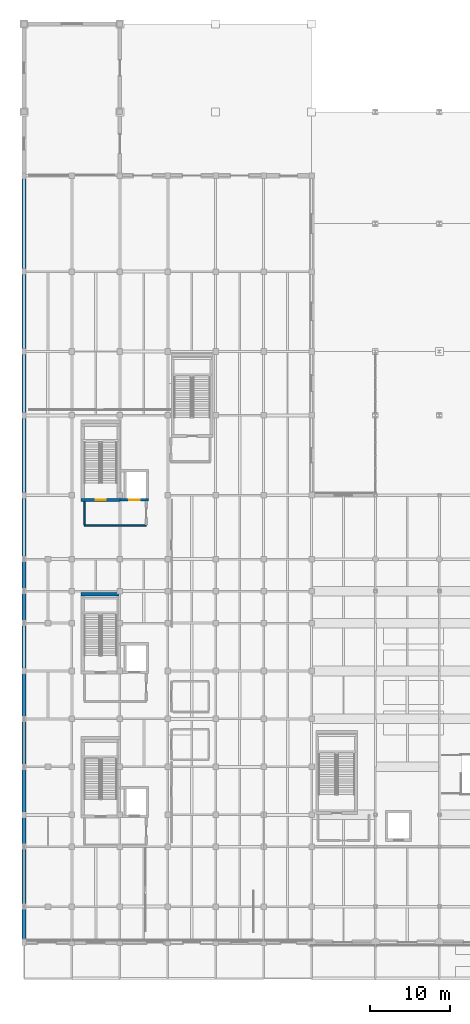
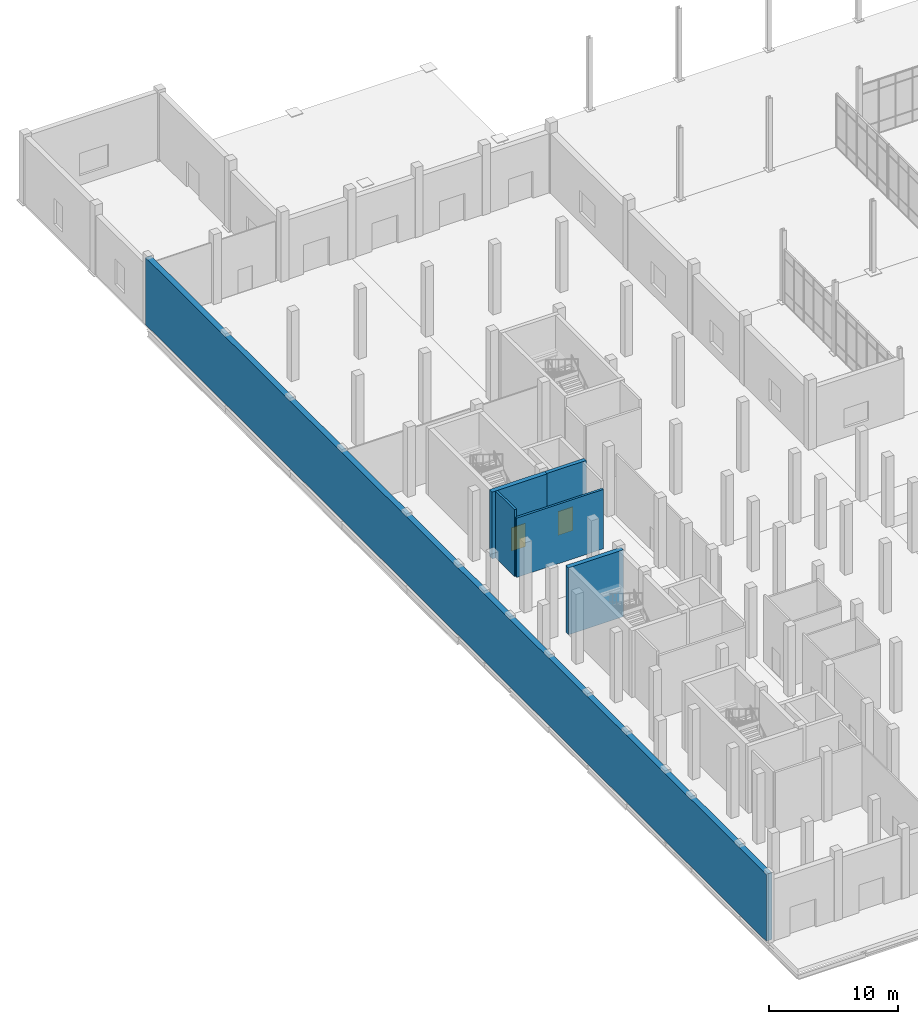
# One storey, part 120 of 140: 6 walls, 2 doors, 2 openings.
"""IFC4 building model written with IfcOpenShell, lengths in metres."""

from ifc_helpers import new_model, si_unit, direction, frame, frame_2d, origin, place, context, subcontext, project, spatial, rectangle, extrude, material, layer, layer_set, type_object, element, fill, save


model = new_model("IFC4")

# Units and contexts
model_context = context("Model", 3, precision=1e-05, world=origin(), true_north=direction((0.0, 1.0)))
body_context = subcontext(model_context, "Body", "Model", "MODEL_VIEW")
ifc_project = project(units=[si_unit("LENGTHUNIT", "METRE"), si_unit("AREAUNIT", "SQUARE_METRE"), si_unit("VOLUMEUNIT", "CUBIC_METRE"), si_unit("PLANEANGLEUNIT", "RADIAN"), si_unit("MASSUNIT", "GRAM", prefix="KILO")], contexts=[model_context])

# Site, building, storey
site_placement = place(None, origin())
site = spatial("IfcSite", under=ifc_project, at=site_placement, CompositionType="ELEMENT")
building_placement = place(site_placement, origin())
building = spatial("IfcBuilding", under=site, at=building_placement, Name="Verrall Gate Interchange", CompositionType="ELEMENT")
storey_placement = place(building_placement, origin())
storey = spatial("IfcBuildingStorey", under=building, at=storey_placement, Name="L01", CompositionType="ELEMENT", Elevation=0.0)

# Walls
ifc_material_1 = material(Name="Concrete CSA A23.1 35 MPa Zero-Lot 2h Party Wall (U=0.18)", Category="concrete")
ifc_layer_1 = layer(ifc_material_1, 0.5)
ifc_layer_set_1 = layer_set([ifc_layer_1], Name="Concrete CSA A23.1 35 MPa Zero-Lot 2h Party Wall (U=0.18)")
wall_type_1 = type_object("IfcWallType", Name="EW-PTY Exterior Solid Wall 500", PredefinedType="SOLIDWALL", material=ifc_layer_set_1)
wall_1_placement = place(storey_placement, frame((0.0, -0.008056640625, 0.0), z_axis=(0.0, 0.0, 1.0), x_axis=(0.0, 1.0, 0.0)))
element("IfcWall", 1, at=wall_1_placement, inside=storey, type_object=wall_type_1, Name="L01 West Zero-Lot 2h Party Wall 001", PredefinedType="SOLIDWALL", context=body_context, shape_type="SweptSolid", body=[
    extrude(rectangle(XDim=96.01611328125, YDim=0.5, at=frame_2d((48.008056640625, 0.0))), origin(), (0.0, 0.0, 1.0), 6.320068359375),
])
ifc_material_2 = material(Name="Fire-Rated Type X Gypsum Stud Partition Assembly (60 min)", Category="gypsum")
ifc_layer_2 = layer(ifc_material_2, 0.199951171875)
ifc_layer_set_2 = layer_set([ifc_layer_2], Name="Fire-Rated Type X Gypsum Stud Partition Assembly (60 min)")
wall_type_2 = type_object("IfcWallType", Name="IW-01 Interior Partition Wall 200", PredefinedType="PARTITIONING", material=ifc_layer_set_2)
wall_2_placement = place(storey_placement, frame((7.550048828125, 52.199951171875, 0.0), z_axis=(0.0, 0.0, 1.0), x_axis=(1.0, 0.0, 0.0)))
element("IfcWall", 2, at=wall_2_placement, inside=storey, type_object=wall_type_2, Name="L01 Core C3 Lobby South Rated Wall", PredefinedType="PARTITIONING", context=body_context, shape_type="SweptSolid", body=[
    extrude(rectangle(XDim=7.75, YDim=0.199951171875, at=frame_2d((3.875, 0.0))), origin(), (0.0, 0.0, 1.0), 5.60693359375),
])
wall_3_placement = place(storey_placement, frame((7.550048828125, 55.199951171875, 0.0), z_axis=(0.0, 0.0, 1.0), x_axis=(0.0, -1.0, 0.0)))
element("IfcWall", 3, at=wall_3_placement, inside=storey, type_object=wall_type_2, Name="L01 Core C3 Lobby West Rated Wall", PredefinedType="PARTITIONING", context=body_context, shape_type="SweptSolid", body=[
    extrude(rectangle(XDim=2.919921875, YDim=0.199951171875, at=frame_2d((1.4599609375, 0.0))), origin(), (0.0, 0.0, 1.0), 6.320068359375),
])
ifc_material_3 = material(Name="Concrete CSA A23.1 40 MPa (Class N)", Category="concrete")
ifc_layer_3 = layer(ifc_material_3, 0.39990234375)
ifc_layer_set_3 = layer_set([ifc_layer_3], Name="Concrete CSA A23.1 40 MPa (Class N)")
wall_type_3 = type_object("IfcWallType", Name="SW-01 Core Shear Wall 400", PredefinedType="SHEAR", material=ifc_layer_set_3)
wall_4_placement = place(storey_placement, frame((12.050048828125, 43.60009765625, 0.0), z_axis=(0.0, 0.0, 1.0), x_axis=(-1.0, 0.0, 0.0)))
element("IfcWall", 4, at=wall_4_placement, inside=storey, type_object=wall_type_3, Name="L01 Core C2 North Shear Wall", PredefinedType="SHEAR", context=body_context, shape_type="SweptSolid", body=[
    extrude(rectangle(XDim=4.900146484375, YDim=0.39990234375, at=frame_2d((2.4501953125, 0.0))), origin(), (0.0, 0.0, 1.0), 6.320068359375),
])

# Wall, opening, door
wall_5_placement = place(storey_placement, frame((7.14990234375, 55.39990234375, 0.0), z_axis=(0.0, 0.0, 1.0), x_axis=(1.0, 0.0, 0.0)))
wall_5 = element("IfcWall", 5, at=wall_5_placement, inside=storey, type_object=wall_type_3, Name="L01 Core C3 South Shear Wall", PredefinedType="SHEAR", context=body_context, shape_type="SweptSolid", body=[
    extrude(rectangle(XDim=4.900146484375, YDim=0.39990234375, at=frame_2d((2.4501953125, 0.0))), origin(), (0.0, 0.0, 1.0), 6.320068359375),
])
opening_1_placement = place(wall_5_placement, frame((1.824951171875, 0.0, 0.0)))
opening_1 = element("IfcOpeningElement", 6, at=opening_1_placement, cuts=wall_5, Name="Opening SD039", PredefinedType="OPENING", context=body_context, shape_type="SweptSolid", body=[
    extrude(rectangle(XDim=1.25, YDim=2.199951171875, at=frame_2d((0.625, 1.10009765625))), frame((0.0, 0.21484375, 0.0), z_axis=(0.0, -1.0, 0.0), x_axis=(1.0, 0.0, 0.0)), (0.0, 0.0, 1.0), 0.4296875),
])
ifc_material_4 = material(Name="Hollow-Metal Fire-Rated Door Assembly", Category="metal")
door_type_1 = type_object("IfcDoorType", Name="ID-03 Interior Swing Door 1250x2200", OperationType="NOTDEFINED", PredefinedType="DOOR", material=ifc_material_4)
door_1_placement = place(opening_1_placement, origin())
door_1 = element("IfcDoor", 7, at=door_1_placement, inside=storey, type_object=door_type_1, Name="L01 Stair ST-03 Fire Door SD039", OperationType="SINGLE_SWING_LEFT", OverallHeight=2.199951171875, OverallWidth=1.25, PredefinedType="DOOR", context=body_context, shape_type="SweptSolid", body=[
    extrude(rectangle(XDim=1.25, YDim=2.199951171875, at=frame_2d((0.625, 1.10009765625))), frame((0.0, 0.02490234375, 0.0), z_axis=(0.0, -1.0, 0.0), x_axis=(1.0, 0.0, 0.0)), (0.0, 0.0, 1.0), 0.050048828125),
])
fill(opening_1, door_1)

ifc_material_5 = material(Name="Concrete CSA A23.1 40 MPa (Class N)", Category="concrete")
ifc_layer_4 = layer(ifc_material_5, 0.340087890625)
ifc_layer_set_4 = layer_set([ifc_layer_4], Name="Concrete CSA A23.1 40 MPa (Class N)")
wall_type_4 = type_object("IfcWallType", Name="SW-02 Core Shear Wall 340", PredefinedType="SHEAR", material=ifc_layer_set_4)
wall_6_placement = place(storey_placement, frame((12.050048828125, 55.429931640625, 0.0), z_axis=(0.0, 0.0, 1.0), x_axis=(1.0, 0.0, 0.0)))
wall_6 = element("IfcWall", 8, at=wall_6_placement, inside=storey, type_object=wall_type_4, Name="L01 Elevator EL-08 South Shaft Wall", PredefinedType="SHEAR", context=body_context, shape_type="SweptSolid", body=[
    extrude(rectangle(XDim=3.5400390625, YDim=0.340087890625, at=frame_2d((1.77001953125, 0.0))), origin(), (0.0, 0.0, 1.0), 6.320068359375),
])
opening_2_placement = place(wall_6_placement, frame((1.1201171875, 0.0, 0.0)))
opening_2 = element("IfcOpeningElement", 9, at=opening_2_placement, cuts=wall_6, Name="Opening LD-08-L01", PredefinedType="OPENING", context=body_context, shape_type="SweptSolid", body=[
    extrude(rectangle(XDim=1.300048828125, YDim=2.25, at=frame_2d((0.64990234375, 1.125))), frame((0.0, 0.18505859375, 0.0), z_axis=(0.0, -1.0, 0.0), x_axis=(1.0, 0.0, 0.0)), (0.0, 0.0, 1.0), 0.369873046875),
])
ifc_material_6 = material(Name="Stainless-Steel Elevator Landing Sliding Door Assembly", Category="steel")
door_type_2 = type_object("IfcDoorType", Name="LD-03 Elevator Sliding Landing Door 1300x2250", OperationType="NOTDEFINED", PredefinedType="DOOR", material=ifc_material_6)
door_2_placement = place(opening_2_placement, origin())
door_2 = element("IfcDoor", 10, at=door_2_placement, inside=storey, type_object=door_type_2, Name="L01 Elevator EL-08 Sliding Landing Door", OperationType="DOUBLE_DOOR_SLIDING", OverallHeight=2.25, OverallWidth=1.300048828125, PredefinedType="DOOR", context=body_context, shape_type="SweptSolid", body=[
    extrude(rectangle(XDim=1.300048828125, YDim=2.25, at=frame_2d((0.64990234375, 1.125))), frame((0.0, 0.02490234375, 0.0), z_axis=(0.0, -1.0, 0.0), x_axis=(1.0, 0.0, 0.0)), (0.0, 0.0, 1.0), 0.050048828125),
])
fill(opening_2, door_2)

save(model, "model.ifc")
